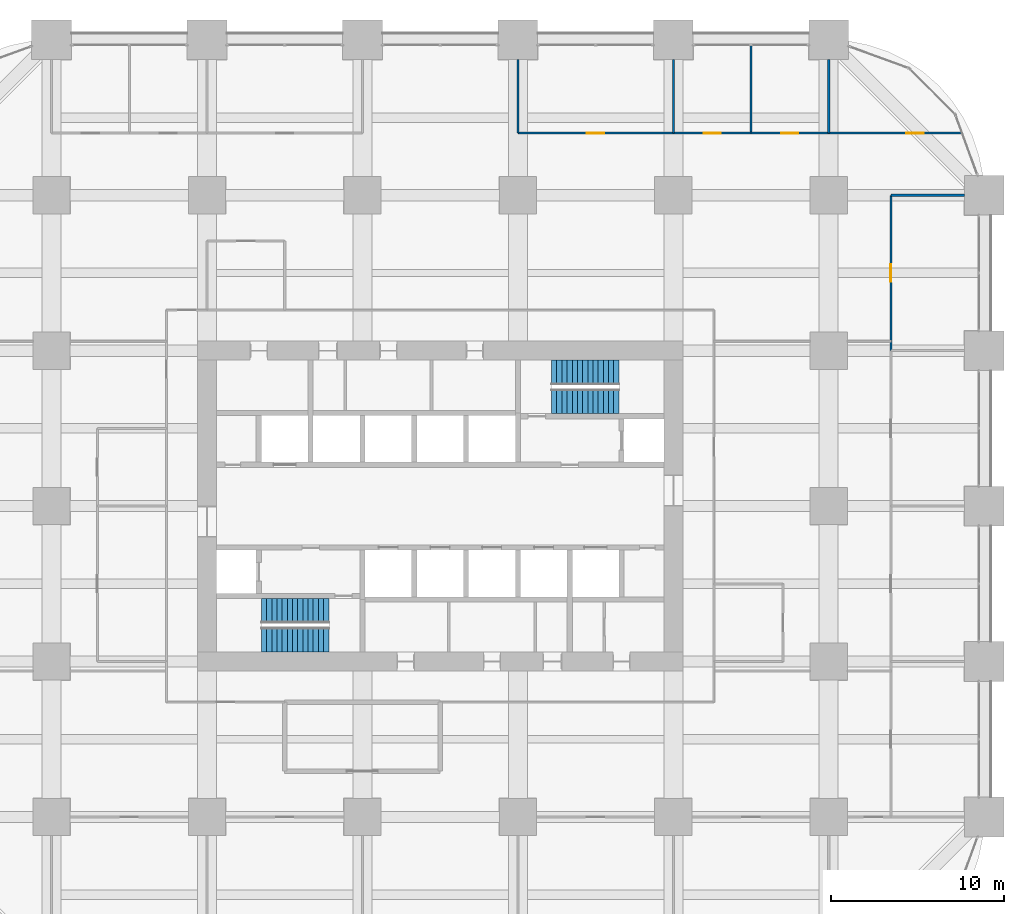
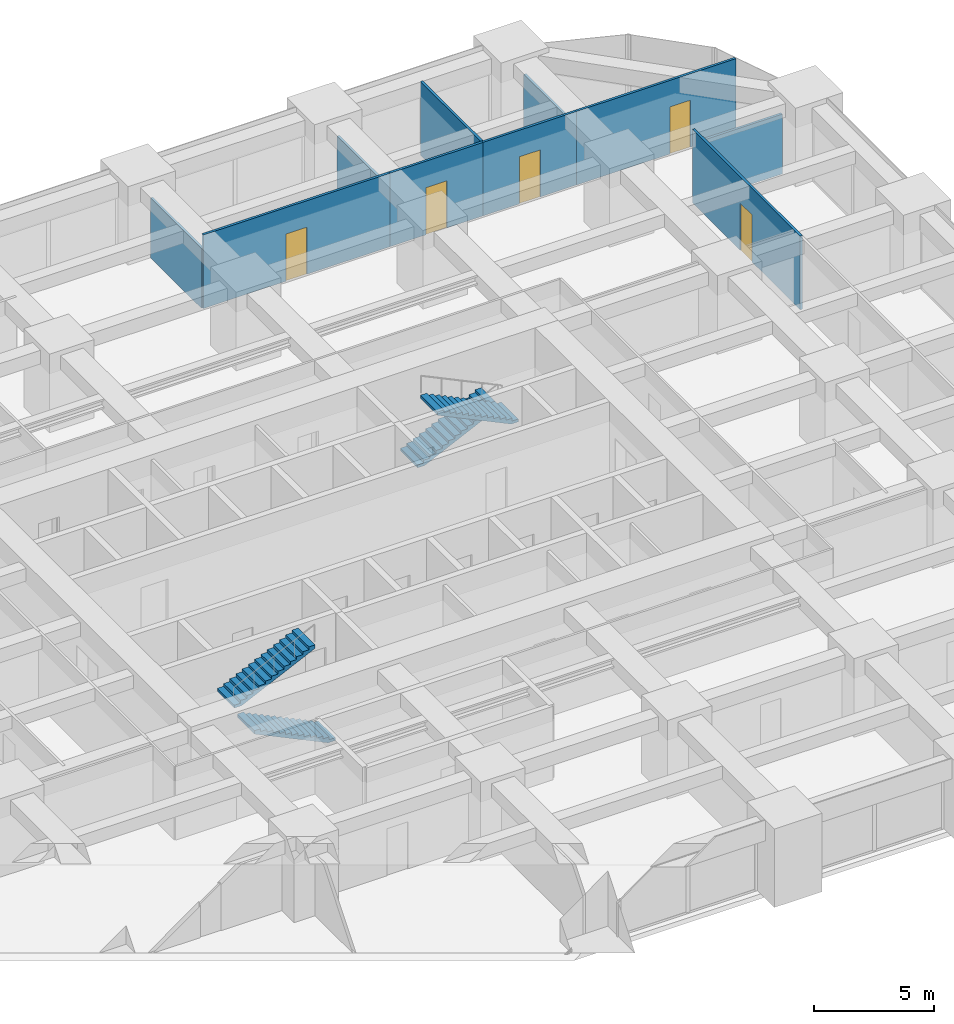
# One storey, part 42 of 44: 10 walls, 5 doors, 4 stair flights, 5 openings, 2 elements without a shape of their own.
"""IFC4 building model written with IfcOpenShell, lengths in metres."""

from ifc_helpers import new_model, si_unit, direction, frame, frame_2d, origin, place, context, subcontext, project, spatial, polyline, rectangle, outline, extrude, material, layer, layer_set, type_object, element, fill, aggregate, save


model = new_model("IFC4")

# Units and contexts
model_context = context("Model", 3, precision=1e-05, world=origin(), true_north=direction((0.0, 1.0)))
body_context = subcontext(model_context, "Body", "Model", "MODEL_VIEW")
ifc_project = project(units=[si_unit("LENGTHUNIT", "METRE"), si_unit("AREAUNIT", "SQUARE_METRE"), si_unit("VOLUMEUNIT", "CUBIC_METRE"), si_unit("PLANEANGLEUNIT", "RADIAN"), si_unit("MASSUNIT", "GRAM", prefix="KILO")], contexts=[model_context])

# Site, building, storey
site_placement = place(None, origin())
site = spatial("IfcSite", under=ifc_project, at=site_placement, CompositionType="ELEMENT")
building_placement = place(site_placement, origin())
building = spatial("IfcBuilding", under=site, at=building_placement, Name="Zorevar Civic Tower", CompositionType="ELEMENT")
storey_placement = place(building_placement, frame((0.0, 0.0, 55.800048828125)))
storey = spatial("IfcBuildingStorey", under=building, at=storey_placement, Name="L13", CompositionType="ELEMENT", Elevation=55.800048828125)

# Wall
ifc_material_1 = material(Name="Gypsum board on steel studs", Category="steel")
ifc_layer = layer(ifc_material_1, 0.1201171875)
ifc_layer_set = layer_set([ifc_layer], Name="Partition 120")
wall_type = type_object("IfcWallType", Name="Partition 120", PredefinedType="PARTITIONING", material=ifc_layer_set)
wall_1_placement = place(storey_placement, frame((57.60009765625, 45.0, 0.0), z_axis=(0.0, 0.0, 1.0), x_axis=(1.0, 0.0, 0.0)))
element("IfcWall", 1, at=wall_1_placement, inside=storey, type_object=wall_type, Name="Partition 120 L13", PredefinedType="PARTITIONING", context=body_context, shape_type="SweptSolid", body=[
    extrude(rectangle(XDim=4.25, YDim=0.1201171875, at=frame_2d((2.125, 0.0))), origin(), (0.0, 0.0, 1.0), 3.050048828125),
])

# Wall, opening, door
wall_2_placement = place(storey_placement, frame((36.0, 48.60009765625, 0.0), z_axis=(0.0, 0.0, 1.0), x_axis=(1.0, 0.0, 0.0)))
wall_2 = element("IfcWall", 2, at=wall_2_placement, inside=storey, type_object=wall_type, Name="Partition 120 L13", PredefinedType="PARTITIONING", context=body_context, shape_type="SweptSolid", body=[
    extrude(rectangle(XDim=9.0, YDim=0.1201171875, at=frame_2d((4.5, 0.0))), origin(), (0.0, 0.0, 1.0), 3.75),
])
opening_1_placement = place(wall_2_placement, frame((4.0, 0.0, 0.0)))
opening_1 = element("IfcOpeningElement", 3, at=opening_1_placement, cuts=wall_2, Name="Opening L13.29", PredefinedType="OPENING", context=body_context, shape_type="SweptSolid", body=[
    extrude(rectangle(XDim=1.0, YDim=2.39990234375, at=frame_2d((0.5, 1.199951171875))), frame((0.0, 0.070068359375, 0.0), z_axis=(0.0, -1.0, 0.0), x_axis=(1.0, 0.0, 0.0)), (0.0, 0.0, 1.0), 0.14013671875),
])
ifc_material_2 = material(Name="Timber door set", Category="wood")
door_type = type_object("IfcDoorType", Name="Door D1 1000x2400", OperationType="SINGLE_SWING_LEFT", PredefinedType="DOOR", material=ifc_material_2)
door_1_placement = place(opening_1_placement, origin())
door_1 = element("IfcDoor", 4, at=door_1_placement, inside=storey, type_object=door_type, Name="Door L13 D1", OperationType="SINGLE_SWING_RIGHT", OverallHeight=2.39990234375, OverallWidth=1.0, PredefinedType="DOOR", context=body_context, shape_type="SweptSolid", body=[
    extrude(rectangle(XDim=1.0, YDim=2.39990234375, at=frame_2d((0.5, 1.199951171875))), frame((0.0, 0.02490234375, 0.0), z_axis=(0.0, -1.0, 0.0), x_axis=(1.0, 0.0, 0.0)), (0.0, 0.0, 1.0), 0.050048828125),
])
fill(opening_1, door_1)

wall_3_placement = place(storey_placement, frame((45.0, 48.60009765625, 0.0), z_axis=(0.0, 0.0, 1.0), x_axis=(1.0, 0.0, 0.0)))
wall_3 = element("IfcWall", 5, at=wall_3_placement, inside=storey, type_object=wall_type, Name="Partition 120 L13", PredefinedType="PARTITIONING", context=body_context, shape_type="SweptSolid", body=[
    extrude(rectangle(XDim=4.5, YDim=0.1201171875, at=frame_2d((2.25, 0.0))), origin(), (0.0, 0.0, 1.0), 3.75),
])
opening_2_placement = place(wall_3_placement, frame((1.75, 0.0, 0.0)))
opening_2 = element("IfcOpeningElement", 6, at=opening_2_placement, cuts=wall_3, Name="Opening L13.30", PredefinedType="OPENING", context=body_context, shape_type="SweptSolid", body=[
    extrude(rectangle(XDim=1.0, YDim=2.39990234375, at=frame_2d((0.5, 1.199951171875))), frame((0.0, 0.070068359375, 0.0), z_axis=(0.0, -1.0, 0.0), x_axis=(1.0, 0.0, 0.0)), (0.0, 0.0, 1.0), 0.14013671875),
])
door_2_placement = place(opening_2_placement, origin())
door_2 = element("IfcDoor", 7, at=door_2_placement, inside=storey, type_object=door_type, Name="Door L13 D1", OperationType="SINGLE_SWING_RIGHT", OverallHeight=2.39990234375, OverallWidth=1.0, PredefinedType="DOOR", context=body_context, shape_type="SweptSolid", body=[
    extrude(rectangle(XDim=1.0, YDim=2.39990234375, at=frame_2d((0.5, 1.199951171875))), frame((0.0, 0.02490234375, 0.0), z_axis=(0.0, -1.0, 0.0), x_axis=(1.0, 0.0, 0.0)), (0.0, 0.0, 1.0), 0.050048828125),
])
fill(opening_2, door_2)

wall_4_placement = place(storey_placement, frame((49.5, 48.60009765625, 0.0), z_axis=(0.0, 0.0, 1.0), x_axis=(1.0, 0.0, 0.0)))
wall_4 = element("IfcWall", 8, at=wall_4_placement, inside=storey, type_object=wall_type, Name="Partition 120 L13", PredefinedType="PARTITIONING", context=body_context, shape_type="SweptSolid", body=[
    extrude(rectangle(XDim=4.5, YDim=0.1201171875, at=frame_2d((2.25, 0.0))), origin(), (0.0, 0.0, 1.0), 3.75),
])
opening_3_placement = place(wall_4_placement, frame((1.75, 0.0, 0.0)))
opening_3 = element("IfcOpeningElement", 9, at=opening_3_placement, cuts=wall_4, Name="Opening L13.31", PredefinedType="OPENING", context=body_context, shape_type="SweptSolid", body=[
    extrude(rectangle(XDim=1.0, YDim=2.39990234375, at=frame_2d((0.5, 1.199951171875))), frame((0.0, 0.070068359375, 0.0), z_axis=(0.0, -1.0, 0.0), x_axis=(1.0, 0.0, 0.0)), (0.0, 0.0, 1.0), 0.14013671875),
])
door_3_placement = place(opening_3_placement, origin())
door_3 = element("IfcDoor", 10, at=door_3_placement, inside=storey, type_object=door_type, Name="Door L13 D1", OperationType="SINGLE_SWING_RIGHT", OverallHeight=2.39990234375, OverallWidth=1.0, PredefinedType="DOOR", context=body_context, shape_type="SweptSolid", body=[
    extrude(rectangle(XDim=1.0, YDim=2.39990234375, at=frame_2d((0.5, 1.199951171875))), frame((0.0, 0.02490234375, 0.0), z_axis=(0.0, -1.0, 0.0), x_axis=(1.0, 0.0, 0.0)), (0.0, 0.0, 1.0), 0.050048828125),
])
fill(opening_3, door_3)

wall_5_placement = place(storey_placement, frame((54.0, 48.60009765625, 0.0), z_axis=(0.0, 0.0, 1.0), x_axis=(1.0, 0.0, 0.0)))
wall_5 = element("IfcWall", 11, at=wall_5_placement, inside=storey, type_object=wall_type, Name="Partition 120 L13", PredefinedType="PARTITIONING", context=body_context, shape_type="SweptSolid", body=[
    extrude(rectangle(XDim=7.68994140625, YDim=0.1201171875, at=frame_2d((3.844970703125, 0.0))), origin(), (0.0, 0.0, 1.0), 3.75),
])
opening_4_placement = place(wall_5_placement, frame((4.5, 0.0, 0.0)))
opening_4 = element("IfcOpeningElement", 12, at=opening_4_placement, cuts=wall_5, Name="Opening L13.32", PredefinedType="OPENING", context=body_context, shape_type="SweptSolid", body=[
    extrude(rectangle(XDim=1.0, YDim=2.39990234375, at=frame_2d((0.5, 1.199951171875))), frame((0.0, 0.070068359375, 0.0), z_axis=(0.0, -1.0, 0.0), x_axis=(1.0, 0.0, 0.0)), (0.0, 0.0, 1.0), 0.14013671875),
])
door_4_placement = place(opening_4_placement, origin())
door_4 = element("IfcDoor", 13, at=door_4_placement, inside=storey, type_object=door_type, Name="Door L13 D1", OperationType="SINGLE_SWING_RIGHT", OverallHeight=2.39990234375, OverallWidth=1.0, PredefinedType="DOOR", context=body_context, shape_type="SweptSolid", body=[
    extrude(rectangle(XDim=1.0, YDim=2.39990234375, at=frame_2d((0.5, 1.199951171875))), frame((0.0, 0.02490234375, 0.0), z_axis=(0.0, -1.0, 0.0), x_axis=(1.0, 0.0, 0.0)), (0.0, 0.0, 1.0), 0.050048828125),
])
fill(opening_4, door_4)

# Walls
for number, where, z_axis, x_axis, name in (
    (14, (36.0, 48.60009765625, 0.0), (0.0, 0.0, 1.0), (0.0, 1.0, 0.0), "Partition 120 L13"),
    (15, (45.0, 48.60009765625, 0.0), (0.0, 0.0, 1.0), (0.0, 1.0, 0.0), "Partition 120 L13"),
):
    element("IfcWall", number, at=place(storey_placement, frame(where, z_axis=z_axis, x_axis=x_axis)), inside=storey, type_object=wall_type, Name=name, PredefinedType="PARTITIONING", context=body_context, shape_type="SweptSolid", body=[
        extrude(rectangle(XDim=4.25, YDim=0.1201171875, at=frame_2d((2.125, 0.0))), origin(), (0.0, 0.0, 1.0), 3.050048828125),
    ])
wall_6_placement = place(storey_placement, frame((49.5, 48.60009765625, 0.0), z_axis=(0.0, 0.0, 1.0), x_axis=(0.0, 1.0, 0.0)))
element("IfcWall", 16, at=wall_6_placement, inside=storey, type_object=wall_type, Name="Partition 120 L13", PredefinedType="PARTITIONING", context=body_context, shape_type="SweptSolid", body=[
    extrude(rectangle(XDim=5.08984375, YDim=0.1201171875, at=frame_2d((2.544921875, 0.0))), origin(), (0.0, 0.0, 1.0), 3.75),
])
wall_7_placement = place(storey_placement, frame((54.0, 48.60009765625, 0.0), z_axis=(0.0, 0.0, 1.0), x_axis=(0.0, 1.0, 0.0)))
element("IfcWall", 17, at=wall_7_placement, inside=storey, type_object=wall_type, Name="Partition 120 L13", PredefinedType="PARTITIONING", context=body_context, shape_type="SweptSolid", body=[
    extrude(rectangle(XDim=4.25, YDim=0.1201171875, at=frame_2d((2.125, 0.0))), origin(), (0.0, 0.0, 1.0), 3.050048828125),
])

# Wall, opening, door
wall_8_placement = place(storey_placement, frame((57.60009765625, 36.0, 0.0), z_axis=(0.0, 0.0, 1.0), x_axis=(0.0, 1.0, 0.0)))
wall_8 = element("IfcWall", 18, at=wall_8_placement, inside=storey, type_object=wall_type, Name="Partition 120 L13", PredefinedType="PARTITIONING", context=body_context, shape_type="SweptSolid", body=[
    extrude(rectangle(XDim=9.0, YDim=0.1201171875, at=frame_2d((4.5, 0.0))), origin(), (0.0, 0.0, 1.0), 3.75),
])
opening_5_placement = place(wall_8_placement, frame((4.0, 0.0, 0.0)))
opening_5 = element("IfcOpeningElement", 19, at=opening_5_placement, cuts=wall_8, Name="Opening L13.41", PredefinedType="OPENING", context=body_context, shape_type="SweptSolid", body=[
    extrude(rectangle(XDim=1.0, YDim=2.39990234375, at=frame_2d((0.5, 1.199951171875))), frame((0.0, 0.070068359375, 0.0), z_axis=(0.0, -1.0, 0.0), x_axis=(1.0, 0.0, 0.0)), (0.0, 0.0, 1.0), 0.14013671875),
])
door_5_placement = place(opening_5_placement, origin())
door_5 = element("IfcDoor", 20, at=door_5_placement, inside=storey, type_object=door_type, Name="Door L13 D1", OperationType="SINGLE_SWING_RIGHT", OverallHeight=2.39990234375, OverallWidth=1.0, PredefinedType="DOOR", context=body_context, shape_type="SweptSolid", body=[
    extrude(rectangle(XDim=1.0, YDim=2.39990234375, at=frame_2d((0.5, 1.199951171875))), frame((0.0, 0.02490234375, 0.0), z_axis=(0.0, -1.0, 0.0), x_axis=(1.0, 0.0, 0.0)), (0.0, 0.0, 1.0), 0.050048828125),
])
fill(opening_5, door_5)

# Stair, stair flights
ifc_material_3 = material(Name="Precast concrete C40/50", Category="concrete")
stair_type = type_object("IfcStairType", Name="Stair ST 28R", PredefinedType="HALF_TURN_STAIR", material=ifc_material_3)
stair_1_placement = place(storey_placement, origin())
stair_1 = element("IfcStair", 21, at=stair_1_placement, inside=storey, type_object=stair_type, Name="Stair ST1 L13", PredefinedType="HALF_TURN_STAIR")
ifc_material_4 = material(Name="Precast concrete C40/50", Category="concrete")
stair_flight_type = type_object("IfcStairFlightType", Name="Stair flight", PredefinedType="STRAIGHT", material=ifc_material_4)
stair_flight_1_placement = place(storey_placement, frame((25.050048828125, 19.262451171875, 0.0), z_axis=(0.0, 0.0, 1.0), x_axis=(-1.0, 0.0, 0.0)))
stair_flight_1 = element("IfcStairFlight", 22, at=stair_flight_1_placement, type_object=stair_flight_type, Name="ST1 flight 1", NumberOfRisers=14, NumberOfTreads=13, PredefinedType="STRAIGHT", RiserHeight=0.142857143, TreadLength=0.3, context=body_context, shape_type="SweptSolid", body=[
    extrude(outline(polyline([(0.0, 0.0), (0.0, 0.142822265625), (0.300048828125, 0.142822265625), (0.300048828125, 0.28564453125), (0.60009765625, 0.28564453125), (0.60009765625, 0.428466796875), (0.89990234375, 0.428466796875), (0.89990234375, 0.571533203125), (1.199951171875, 0.571533203125), (1.199951171875, 0.71435546875), (1.5, 0.71435546875), (1.5, 0.857177734375), (1.800048828125, 0.857177734375), (1.800048828125, 1.0), (2.10009765625, 1.0), (2.10009765625, 1.142822265625), (2.39990234375, 1.142822265625), (2.39990234375, 1.28564453125), (2.699951171875, 1.28564453125), (2.699951171875, 1.428466796875), (3.0, 1.428466796875), (3.0, 1.571533203125), (3.300048828125, 1.571533203125), (3.300048828125, 1.71435546875), (3.60009765625, 1.71435546875), (3.60009765625, 1.857177734375), (3.89990234375, 1.857177734375), (3.89990234375, 2.0), (3.89990234375, 1.691162109375), (0.3486328125, 0.0), (0.0, 0.0)])), frame((0.0, 0.71240234375, 0.0), z_axis=(0.0, -1.0, 0.0), x_axis=(1.0, 0.0, 0.0)), (0.0, 0.0, 1.0), 1.425048828125),
])
stair_flight_2_placement = place(storey_placement, frame((21.14990234375, 20.9375, 2.0), z_axis=(0.0, 0.0, 1.0), x_axis=(1.0, 0.0, 0.0)))
stair_flight_2 = element("IfcStairFlight", 23, at=stair_flight_2_placement, type_object=stair_flight_type, Name="ST1 flight 2", NumberOfRisers=14, NumberOfTreads=13, PredefinedType="STRAIGHT", RiserHeight=0.142857143, TreadLength=0.3, context=body_context, shape_type="SweptSolid", body=[
    extrude(outline(polyline([(0.0, 0.0), (0.0, 0.142822265625), (0.300048828125, 0.142822265625), (0.300048828125, 0.28564453125), (0.60009765625, 0.28564453125), (0.60009765625, 0.428466796875), (0.89990234375, 0.428466796875), (0.89990234375, 0.571533203125), (1.199951171875, 0.571533203125), (1.199951171875, 0.71435546875), (1.5, 0.71435546875), (1.5, 0.857177734375), (1.800048828125, 0.857177734375), (1.800048828125, 1.0), (2.10009765625, 1.0), (2.10009765625, 1.142822265625), (2.39990234375, 1.142822265625), (2.39990234375, 1.28564453125), (2.699951171875, 1.28564453125), (2.699951171875, 1.428466796875), (3.0, 1.428466796875), (3.0, 1.571533203125), (3.300048828125, 1.571533203125), (3.300048828125, 1.71435546875), (3.60009765625, 1.71435546875), (3.60009765625, 1.857177734375), (3.89990234375, 1.857177734375), (3.89990234375, 2.0), (3.89990234375, 1.691162109375), (0.3486328125, 0.0), (0.0, 0.0)])), frame((0.0, 0.71240234375, 0.0), z_axis=(0.0, -1.0, 0.0), x_axis=(1.0, 0.0, 0.0)), (0.0, 0.0, 1.0), 1.425048828125),
])
aggregate(stair_1, [stair_flight_1, stair_flight_2])

stair_2_placement = place(storey_placement, origin())
stair_2 = element("IfcStair", 24, at=stair_2_placement, inside=storey, type_object=stair_type, Name="Stair ST2 L13", PredefinedType="HALF_TURN_STAIR")
stair_flight_3_placement = place(storey_placement, frame((37.949951171875, 34.737548828125, 0.0), z_axis=(0.0, 0.0, 1.0), x_axis=(1.0, 0.0, 0.0)))
stair_flight_3 = element("IfcStairFlight", 25, at=stair_flight_3_placement, type_object=stair_flight_type, Name="ST2 flight 1", NumberOfRisers=14, NumberOfTreads=13, PredefinedType="STRAIGHT", RiserHeight=0.142857143, TreadLength=0.3, context=body_context, shape_type="SweptSolid", body=[
    extrude(outline(polyline([(0.0, 0.0), (0.0, 0.142822265625), (0.300048828125, 0.142822265625), (0.300048828125, 0.28564453125), (0.60009765625, 0.28564453125), (0.60009765625, 0.428466796875), (0.89990234375, 0.428466796875), (0.89990234375, 0.571533203125), (1.199951171875, 0.571533203125), (1.199951171875, 0.71435546875), (1.5, 0.71435546875), (1.5, 0.857177734375), (1.800048828125, 0.857177734375), (1.800048828125, 1.0), (2.10009765625, 1.0), (2.10009765625, 1.142822265625), (2.39990234375, 1.142822265625), (2.39990234375, 1.28564453125), (2.699951171875, 1.28564453125), (2.699951171875, 1.428466796875), (3.0, 1.428466796875), (3.0, 1.571533203125), (3.300048828125, 1.571533203125), (3.300048828125, 1.71435546875), (3.60009765625, 1.71435546875), (3.60009765625, 1.857177734375), (3.89990234375, 1.857177734375), (3.89990234375, 2.0), (3.89990234375, 1.691162109375), (0.3486328125, 0.0), (0.0, 0.0)])), frame((0.0, 0.71240234375, 0.0), z_axis=(0.0, -1.0, 0.0), x_axis=(1.0, 0.0, 0.0)), (0.0, 0.0, 1.0), 1.425048828125),
])
stair_flight_4_placement = place(storey_placement, frame((41.85009765625, 33.0625, 2.0), z_axis=(0.0, 0.0, 1.0), x_axis=(-1.0, 0.0, 0.0)))
stair_flight_4 = element("IfcStairFlight", 26, at=stair_flight_4_placement, type_object=stair_flight_type, Name="ST2 flight 2", NumberOfRisers=14, NumberOfTreads=13, PredefinedType="STRAIGHT", RiserHeight=0.142857143, TreadLength=0.3, context=body_context, shape_type="SweptSolid", body=[
    extrude(outline(polyline([(0.0, 0.0), (0.0, 0.142822265625), (0.300048828125, 0.142822265625), (0.300048828125, 0.28564453125), (0.60009765625, 0.28564453125), (0.60009765625, 0.428466796875), (0.89990234375, 0.428466796875), (0.89990234375, 0.571533203125), (1.199951171875, 0.571533203125), (1.199951171875, 0.71435546875), (1.5, 0.71435546875), (1.5, 0.857177734375), (1.800048828125, 0.857177734375), (1.800048828125, 1.0), (2.10009765625, 1.0), (2.10009765625, 1.142822265625), (2.39990234375, 1.142822265625), (2.39990234375, 1.28564453125), (2.699951171875, 1.28564453125), (2.699951171875, 1.428466796875), (3.0, 1.428466796875), (3.0, 1.571533203125), (3.300048828125, 1.571533203125), (3.300048828125, 1.71435546875), (3.60009765625, 1.71435546875), (3.60009765625, 1.857177734375), (3.89990234375, 1.857177734375), (3.89990234375, 2.0), (3.89990234375, 1.691162109375), (0.3486328125, 0.0), (0.0, 0.0)])), frame((0.0, 0.71240234375, 0.0), z_axis=(0.0, -1.0, 0.0), x_axis=(1.0, 0.0, 0.0)), (0.0, 0.0, 1.0), 1.425048828125),
])
aggregate(stair_2, [stair_flight_3, stair_flight_4])

save(model, "model.ifc")
